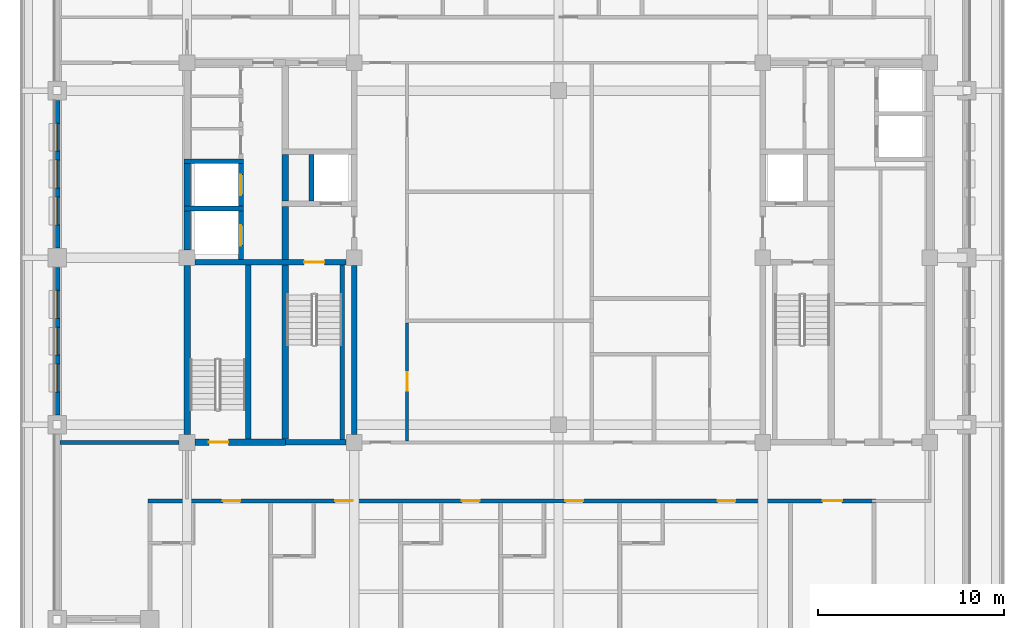
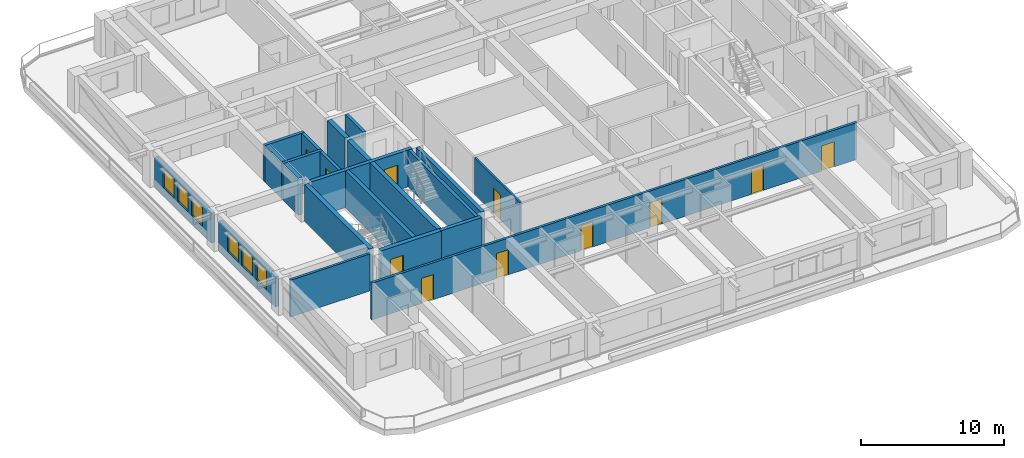
# One storey, part 3 of 15: 22 walls, 11 doors, 6 windows, 17 openings.
"""IFC4 building model written with IfcOpenShell, lengths in metres."""

from ifc_helpers import new_model, si_unit, direction, frame, frame_2d, origin, place, context, subcontext, project, spatial, rectangle, extrude, material, layer, layer_set, type_object, element, fill, save


model = new_model("IFC4")

# Units and contexts
model_context = context("Model", 3, precision=1e-05, world=origin(), true_north=direction((0.0, 1.0)))
body_context = subcontext(model_context, "Body", "Model", "MODEL_VIEW")
ifc_project = project(units=[si_unit("LENGTHUNIT", "METRE"), si_unit("AREAUNIT", "SQUARE_METRE"), si_unit("VOLUMEUNIT", "CUBIC_METRE"), si_unit("PLANEANGLEUNIT", "RADIAN"), si_unit("MASSUNIT", "GRAM", prefix="KILO")], contexts=[model_context])

# Site, building, storey
site_placement = place(None, origin())
site = spatial("IfcSite", under=ifc_project, at=site_placement, CompositionType="ELEMENT")
building_placement = place(site_placement, origin())
building = spatial("IfcBuilding", under=site, at=building_placement, Name="Zulmaris Gate Convention Tower", CompositionType="ELEMENT")
storey_placement = place(building_placement, frame((0.0, 0.0, 201.659912109375)))
storey = spatial("IfcBuildingStorey", under=building, at=storey_placement, Name="L52", CompositionType="ELEMENT", Elevation=201.659912109375)

# Walls
ifc_material_1 = material(Name="Concrete C50/60", Category="concrete")
ifc_layer_1 = layer(ifc_material_1, 0.25, Name="Concrete C50/60")
ifc_layer_set_1 = layer_set([ifc_layer_1], Name="Concrete C50/60")
wall_type_1 = type_object("IfcWallType", Name="CORE-250", PredefinedType="SOLIDWALL", material=ifc_layer_set_1)
for number, where, z_axis, x_axis, name in (
    (1, (-20.175048828125, 2.64990234375, 0.0), (0.0, 0.0, 1.0), (1.0, 0.0, 0.0), "WL-L52-007"),
    (2, (-20.175048828125, 5.199951171875, 0.0), (0.0, 0.0, 1.0), (1.0, 0.0, 0.0), "WL-L52-010"),
):
    element("IfcWall", number, at=place(storey_placement, frame(where, z_axis=z_axis, x_axis=x_axis)), inside=storey, type_object=wall_type_1, Name=name, PredefinedType="SOLIDWALL", context=body_context, shape_type="SweptSolid", body=[
        extrude(rectangle(XDim=3.199951171875, YDim=0.25, at=frame_2d((1.60009765625, 0.0))), origin(), (0.0, 0.0, 1.0), 3.150146484375),
    ])

# Wall, opening, door
wall_1_placement = place(storey_placement, frame((-17.10009765625, -0.097900390625, 0.0), z_axis=(0.0, 0.0, 1.0), x_axis=(0.0, 1.0, 0.0)))
wall_1 = element("IfcWall", 3, at=wall_1_placement, inside=storey, type_object=wall_type_1, Name="WL-L52-049", PredefinedType="SOLIDWALL", context=body_context, shape_type="SweptSolid", body=[
    extrude(rectangle(XDim=2.620849609375, YDim=0.25, at=frame_2d((1.310546875, 0.0))), origin(), (0.0, 0.0, 1.0), 3.150146484375),
])
opening_1_placement = place(wall_1_placement, frame((0.748046875, 0.0, 0.0)))
opening_1 = element("IfcOpeningElement", 4, at=opening_1_placement, cuts=wall_1, Name="Opening D-06", PredefinedType="OPENING", context=body_context, shape_type="SweptSolid", body=[
    extrude(rectangle(XDim=1.10009765625, YDim=2.199951171875, at=frame_2d((0.550048828125, 1.10009765625))), frame((0.0, 0.135009765625, 0.0), z_axis=(0.0, -1.0, 0.0), x_axis=(1.0, 0.0, 0.0)), (0.0, 0.0, 1.0), 0.27001953125),
])
ifc_material_2 = material(Name="Brushed Stainless Steel", Category="steel")
door_type_1 = type_object("IfcDoorType", Name="LD-1100", OperationType="NOTDEFINED", PredefinedType="DOOR", material=ifc_material_2)
door_1_placement = place(opening_1_placement, origin())
door_1 = element("IfcDoor", 5, at=door_1_placement, inside=storey, type_object=door_type_1, Name="L52 Lift Landing Door HP-03 11", OperationType="SLIDING_TO_LEFT", OverallHeight=2.199951171875, OverallWidth=1.10009765625, PredefinedType="DOOR", context=body_context, shape_type="SweptSolid", body=[
    extrude(rectangle(XDim=1.10009765625, YDim=2.199951171875, at=frame_2d((0.550048828125, 1.10009765625))), frame((0.0, 0.02490234375, 0.0), z_axis=(0.0, -1.0, 0.0), x_axis=(1.0, 0.0, 0.0)), (0.0, 0.0, 1.0), 0.050048828125),
])
fill(opening_1, door_1)

wall_2_placement = place(storey_placement, frame((-17.10009765625, 2.777099609375, 0.0), z_axis=(0.0, 0.0, 1.0), x_axis=(0.0, 1.0, 0.0)))
wall_2 = element("IfcWall", 6, at=wall_2_placement, inside=storey, type_object=wall_type_1, Name="WL-L52-050", PredefinedType="SOLIDWALL", context=body_context, shape_type="SweptSolid", body=[
    extrude(rectangle(XDim=2.2958984375, YDim=0.25, at=frame_2d((1.14794921875, 0.0))), origin(), (0.0, 0.0, 1.0), 3.150146484375),
])
opening_2_placement = place(wall_2_placement, frame((0.597900390625, 0.0, 0.0)))
opening_2 = element("IfcOpeningElement", 7, at=opening_2_placement, cuts=wall_2, Name="Opening D-06", PredefinedType="OPENING", context=body_context, shape_type="SweptSolid", body=[
    extrude(rectangle(XDim=1.10009765625, YDim=2.199951171875, at=frame_2d((0.550048828125, 1.10009765625))), frame((0.0, 0.135009765625, 0.0), z_axis=(0.0, -1.0, 0.0), x_axis=(1.0, 0.0, 0.0)), (0.0, 0.0, 1.0), 0.27001953125),
])
door_2_placement = place(opening_2_placement, origin())
door_2 = element("IfcDoor", 8, at=door_2_placement, inside=storey, type_object=door_type_1, Name="L52 Lift Landing Door HP-04 12", OperationType="SLIDING_TO_LEFT", OverallHeight=2.199951171875, OverallWidth=1.10009765625, PredefinedType="DOOR", context=body_context, shape_type="SweptSolid", body=[
    extrude(rectangle(XDim=1.10009765625, YDim=2.199951171875, at=frame_2d((0.550048828125, 1.10009765625))), frame((0.0, 0.02490234375, 0.0), z_axis=(0.0, -1.0, 0.0), x_axis=(1.0, 0.0, 0.0)), (0.0, 0.0, 1.0), 0.050048828125),
])
fill(opening_2, door_2)

# Walls
wall_3_placement = place(storey_placement, frame((-13.300048828125, 3.052001953125, 0.0), z_axis=(0.0, 0.0, 1.0), x_axis=(0.0, 1.0, 0.0)))
element("IfcWall", 9, at=wall_3_placement, inside=storey, type_object=wall_type_1, Name="WL-L52-056", PredefinedType="SOLIDWALL", context=body_context, shape_type="SweptSolid", body=[
    extrude(rectangle(XDim=2.49609375, YDim=0.25, at=frame_2d((1.248046875, 0.0))), origin(), (0.0, 0.0, 1.0), 3.150146484375),
])
wall_4_placement = place(storey_placement, frame((-11.64990234375, -9.798095703125, 0.0), z_axis=(0.0, 0.0, 1.0), x_axis=(0.0, 1.0, 0.0)))
element("IfcWall", 10, at=wall_4_placement, inside=storey, type_object=wall_type_1, Name="WL-L52-057", PredefinedType="SOLIDWALL", context=body_context, shape_type="SweptSolid", body=[
    extrude(rectangle(XDim=9.39599609375, YDim=0.25, at=frame_2d((4.697998046875, 0.0))), origin(), (0.0, 0.0, 1.0), 3.150146484375),
])
ifc_layer_2 = layer(ifc_material_1, 0.300048828125, Name="Concrete C50/60")
ifc_layer_set_2 = layer_set([ifc_layer_2], Name="Concrete C50/60")
wall_type_2 = type_object("IfcWallType", Name="CORE-300", PredefinedType="SHEAR", material=ifc_layer_set_2)
wall_5_placement = place(storey_placement, frame((-14.699951171875, -9.949951171875, 0.0), z_axis=(0.0, 0.0, 1.0), x_axis=(1.0, 0.0, 0.0)))
element("IfcWall", 11, at=wall_5_placement, inside=storey, type_object=wall_type_2, Name="WL-L52-002", PredefinedType="SHEAR", context=body_context, shape_type="SweptSolid", body=[
    extrude(rectangle(XDim=3.27099609375, YDim=0.300048828125, at=frame_2d((1.635498046875, 0.0))), origin(), (0.0, 0.0, 1.0), 3.150146484375),
])

# Wall, opening, door
wall_6_placement = place(storey_placement, frame((-19.571044921875, -0.25, 0.0), z_axis=(0.0, 0.0, 1.0), x_axis=(1.0, 0.0, 0.0)))
wall_6 = element("IfcWall", 12, at=wall_6_placement, inside=storey, type_object=wall_type_2, Name="WL-L52-005", PredefinedType="SHEAR", context=body_context, shape_type="SweptSolid", body=[
    extrude(rectangle(XDim=8.14208984375, YDim=0.300048828125, at=frame_2d((4.071044921875, 0.0))), origin(), (0.0, 0.0, 1.0), 3.150146484375),
])
opening_3_placement = place(wall_6_placement, frame((5.87109375, 0.0, 0.0)))
opening_3 = element("IfcOpeningElement", 13, at=opening_3_placement, cuts=wall_6, Name="Opening D-08", PredefinedType="OPENING", context=body_context, shape_type="SweptSolid", body=[
    extrude(rectangle(XDim=1.10009765625, YDim=2.14990234375, at=frame_2d((0.550048828125, 1.074951171875))), frame((0.0, 0.16015625, 0.0), z_axis=(0.0, -1.0, 0.0), x_axis=(1.0, 0.0, 0.0)), (0.0, 0.0, 1.0), 0.320068359375),
])
ifc_material_3 = material(Name="Fire-Rated Steel", Category="steel")
door_type_2 = type_object("IfcDoorType", Name="DR-1100-FD", OperationType="NOTDEFINED", PredefinedType="DOOR", material=ifc_material_3)
door_3_placement = place(opening_3_placement, origin())
door_3 = element("IfcDoor", 14, at=door_3_placement, inside=storey, type_object=door_type_2, Name="L52 Exit Stair ST-1 Door 01", OperationType="SINGLE_SWING_LEFT", OverallHeight=2.14990234375, OverallWidth=1.10009765625, PredefinedType="DOOR", context=body_context, shape_type="SweptSolid", body=[
    extrude(rectangle(XDim=1.10009765625, YDim=2.14990234375, at=frame_2d((0.550048828125, 1.074951171875))), frame((0.0, 0.02490234375, 0.0), z_axis=(0.0, -1.0, 0.0), x_axis=(1.0, 0.0, 0.0)), (0.0, 0.0, 1.0), 0.050048828125),
])
fill(opening_3, door_3)

# Walls
wall_7_placement = place(storey_placement, frame((-16.699951171875, -9.77294921875, 0.0), z_axis=(0.0, 0.0, 1.0), x_axis=(0.0, 1.0, 0.0)))
element("IfcWall", 15, at=wall_7_placement, inside=storey, type_object=wall_type_2, Name="WL-L52-051", PredefinedType="SHEAR", context=body_context, shape_type="SweptSolid", body=[
    extrude(rectangle(XDim=9.370849609375, YDim=0.300048828125, at=frame_2d((4.685546875, 0.0))), origin(), (0.0, 0.0, 1.0), 3.150146484375),
])
wall_8_placement = place(storey_placement, frame((-11.0, -9.52099609375, 0.0), z_axis=(0.0, 0.0, 1.0), x_axis=(0.0, 1.0, 0.0)))
element("IfcWall", 16, at=wall_8_placement, inside=storey, type_object=wall_type_2, Name="WL-L52-058", PredefinedType="SHEAR", context=body_context, shape_type="SweptSolid", body=[
    extrude(rectangle(XDim=9.092041015625, YDim=0.300048828125, at=frame_2d((4.5458984375, 0.0))), origin(), (0.0, 0.0, 1.0), 3.150146484375),
])

# Wall, opening, door
ifc_material_4 = material(Name="Concrete C55/67", Category="concrete")
ifc_layer_3 = layer(ifc_material_4, 0.35009765625, Name="Concrete C55/67")
ifc_layer_set_3 = layer_set([ifc_layer_3], Name="Concrete C55/67")
wall_type_3 = type_object("IfcWallType", Name="CORE-350", PredefinedType="SHEAR", material=ifc_layer_set_3)
wall_9_placement = place(storey_placement, frame((-19.571044921875, -9.949951171875, 0.0), z_axis=(0.0, 0.0, 1.0), x_axis=(1.0, 0.0, 0.0)))
wall_9 = element("IfcWall", 17, at=wall_9_placement, inside=storey, type_object=wall_type_3, Name="WL-L52-001", PredefinedType="SHEAR", context=body_context, shape_type="SweptSolid", body=[
    extrude(rectangle(XDim=4.87109375, YDim=0.35009765625, at=frame_2d((2.435546875, 0.0))), origin(), (0.0, 0.0, 1.0), 3.150146484375),
])
opening_4_placement = place(wall_9_placement, frame((0.74609375, 0.0, 0.0)))
opening_4 = element("IfcOpeningElement", 18, at=opening_4_placement, cuts=wall_9, Name="Opening D-09", PredefinedType="OPENING", context=body_context, shape_type="SweptSolid", body=[
    extrude(rectangle(XDim=1.050048828125, YDim=2.14990234375, at=frame_2d((0.52490234375, 1.074951171875))), frame((0.0, 0.18505859375, 0.0), z_axis=(0.0, -1.0, 0.0), x_axis=(1.0, 0.0, 0.0)), (0.0, 0.0, 1.0), 0.3701171875),
])
door_type_3 = type_object("IfcDoorType", Name="DR-1050-FD", OperationType="NOTDEFINED", PredefinedType="DOOR", material=ifc_material_3)
door_4_placement = place(opening_4_placement, origin())
door_4 = element("IfcDoor", 19, at=door_4_placement, inside=storey, type_object=door_type_3, Name="L52 Exit Stair ST-3 Door 10", OperationType="SINGLE_SWING_RIGHT", OverallHeight=2.14990234375, OverallWidth=1.050048828125, PredefinedType="DOOR", context=body_context, shape_type="SweptSolid", body=[
    extrude(rectangle(XDim=1.050048828125, YDim=2.14990234375, at=frame_2d((0.52490234375, 1.074951171875))), frame((0.0, 0.02490234375, 0.0), z_axis=(0.0, -1.0, 0.0), x_axis=(1.0, 0.0, 0.0)), (0.0, 0.0, 1.0), 0.050048828125),
])
fill(opening_4, door_4)

# Walls
wall_10_placement = place(storey_placement, frame((-20.0, -9.52099609375, 0.0), z_axis=(0.0, 0.0, 1.0), x_axis=(0.0, 1.0, 0.0)))
element("IfcWall", 20, at=wall_10_placement, inside=storey, type_object=wall_type_3, Name="WL-L52-045", PredefinedType="SHEAR", context=body_context, shape_type="SweptSolid", body=[
    extrude(rectangle(XDim=9.092041015625, YDim=0.35009765625, at=frame_2d((4.5458984375, 0.0))), origin(), (0.0, 0.0, 1.0), 3.150146484375),
])
wall_11_placement = place(storey_placement, frame((-20.0, 0.428955078125, 0.0), z_axis=(0.0, 0.0, 1.0), x_axis=(0.0, 1.0, 0.0)))
element("IfcWall", 21, at=wall_11_placement, inside=storey, type_object=wall_type_3, Name="WL-L52-046", PredefinedType="SHEAR", context=body_context, shape_type="SweptSolid", body=[
    extrude(rectangle(XDim=2.093994140625, YDim=0.35009765625, at=frame_2d((1.046875, 0.0))), origin(), (0.0, 0.0, 1.0), 3.150146484375),
])
wall_12_placement = place(storey_placement, frame((-20.0, 2.777099609375, 0.0), z_axis=(0.0, 0.0, 1.0), x_axis=(0.0, 1.0, 0.0)))
element("IfcWall", 22, at=wall_12_placement, inside=storey, type_object=wall_type_3, Name="WL-L52-047", PredefinedType="SHEAR", context=body_context, shape_type="SweptSolid", body=[
    extrude(rectangle(XDim=2.2958984375, YDim=0.35009765625, at=frame_2d((1.14794921875, 0.0))), origin(), (0.0, 0.0, 1.0), 3.150146484375),
])
wall_13_placement = place(storey_placement, frame((-14.699951171875, -9.77294921875, 0.0), z_axis=(0.0, 0.0, 1.0), x_axis=(0.0, 1.0, 0.0)))
element("IfcWall", 23, at=wall_13_placement, inside=storey, type_object=wall_type_3, Name="WL-L52-052", PredefinedType="SHEAR", context=body_context, shape_type="SweptSolid", body=[
    extrude(rectangle(XDim=9.370849609375, YDim=0.35009765625, at=frame_2d((4.685546875, 0.0))), origin(), (0.0, 0.0, 1.0), 3.150146484375),
])
wall_14_placement = place(storey_placement, frame((-14.699951171875, -0.097900390625, 0.0), z_axis=(0.0, 0.0, 1.0), x_axis=(0.0, 1.0, 0.0)))
element("IfcWall", 24, at=wall_14_placement, inside=storey, type_object=wall_type_3, Name="WL-L52-053", PredefinedType="SHEAR", context=body_context, shape_type="SweptSolid", body=[
    extrude(rectangle(XDim=2.845947265625, YDim=0.35009765625, at=frame_2d((1.4228515625, 0.0))), origin(), (0.0, 0.0, 1.0), 3.150146484375),
])
wall_15_placement = place(storey_placement, frame((-14.699951171875, 3.052001953125, 0.0), z_axis=(0.0, 0.0, 1.0), x_axis=(0.0, 1.0, 0.0)))
element("IfcWall", 25, at=wall_15_placement, inside=storey, type_object=wall_type_3, Name="WL-L52-054", PredefinedType="SHEAR", context=body_context, shape_type="SweptSolid", body=[
    extrude(rectangle(XDim=2.49609375, YDim=0.35009765625, at=frame_2d((1.248046875, 0.0))), origin(), (0.0, 0.0, 1.0), 3.150146484375),
])

# Wall, opening, door
ifc_material_5 = material(Name="Gypsum Metal Stud Partition")
ifc_layer_4 = layer(ifc_material_5, 0.14990234375, Name="Gypsum Metal Stud Partition")
ifc_layer_set_4 = layer_set([ifc_layer_4], Name="Gypsum Metal Stud Partition")
wall_type_4 = type_object("IfcWallType", Name="PART-150", PredefinedType="PARTITIONING", material=ifc_layer_set_4)
wall_16_placement = place(storey_placement, frame((-8.14990234375, -9.8720703125, 0.0), z_axis=(0.0, 0.0, 1.0), x_axis=(0.0, 1.0, 0.0)))
wall_16 = element("IfcWall", 26, at=wall_16_placement, inside=storey, type_object=wall_type_4, Name="WL-L52-094", PredefinedType="PARTITIONING", context=body_context, shape_type="SweptSolid", body=[
    extrude(rectangle(XDim=6.369140625, YDim=0.14990234375, at=frame_2d((3.1845703125, 0.0))), origin(), (0.0, 0.0, 1.0), 3.150146484375),
])
opening_5_placement = place(wall_16_placement, frame((2.701904296875, 0.0, 0.0)))
opening_5 = element("IfcOpeningElement", 27, at=opening_5_placement, cuts=wall_16, Name="Opening D-10", PredefinedType="OPENING", context=body_context, shape_type="SweptSolid", body=[
    extrude(rectangle(XDim=1.0, YDim=2.14990234375, at=frame_2d((0.5, 1.074951171875))), frame((0.0, 0.0849609375, 0.0), z_axis=(0.0, -1.0, 0.0), x_axis=(1.0, 0.0, 0.0)), (0.0, 0.0, 1.0), 0.169921875),
])
ifc_material_6 = material(Name="Fire-Rated Timber", Category="wood")
door_type_4 = type_object("IfcDoorType", Name="DR-1000-FD", OperationType="NOTDEFINED", PredefinedType="DOOR", material=ifc_material_6)
door_5_placement = place(opening_5_placement, origin())
door_5 = element("IfcDoor", 28, at=door_5_placement, inside=storey, type_object=door_type_4, Name="L52 Guest Study Door 49", OperationType="SINGLE_SWING_LEFT", OverallHeight=2.14990234375, OverallWidth=1.0, PredefinedType="DOOR", context=body_context, shape_type="SweptSolid", body=[
    extrude(rectangle(XDim=1.0, YDim=2.14990234375, at=frame_2d((0.5, 1.074951171875))), frame((0.0, 0.02490234375, 0.0), z_axis=(0.0, -1.0, 0.0), x_axis=(1.0, 0.0, 0.0)), (0.0, 0.0, 1.0), 0.050048828125),
])
fill(opening_5, door_5)

# Wall, openings, doors
ifc_material_7 = material(Name="Autoclaved Aerated Concrete Block and Plasterboard", Category="concrete")
ifc_layer_5 = layer(ifc_material_7, 0.199951171875, Name="Autoclaved Aerated Concrete Block and Plasterboard")
ifc_layer_set_5 = layer_set([ifc_layer_5], Name="Autoclaved Aerated Concrete Block and Plasterboard")
wall_type_5 = type_object("IfcWallType", Name="PART-200", PredefinedType="PARTITIONING", material=ifc_layer_set_5)
wall_17_placement = place(storey_placement, frame((-22.10009765625, -13.10009765625, 0.0), z_axis=(0.0, 0.0, 1.0), x_axis=(1.0, 0.0, 0.0)))
wall_17 = element("IfcWall", 29, at=wall_17_placement, inside=storey, type_object=wall_type_5, Name="WL-L52-024", PredefinedType="PARTITIONING", context=body_context, shape_type="SweptSolid", body=[
    extrude(rectangle(XDim=39.2001953125, YDim=0.199951171875, at=frame_2d((19.60009765625, 0.0))), origin(), (0.0, 0.0, 1.0), 3.150146484375),
])
opening_6_placement = place(wall_17_placement, frame((4.02490234375, 0.0, 0.0)))
opening_6 = element("IfcOpeningElement", 30, at=opening_6_placement, cuts=wall_17, Name="Opening D-11", PredefinedType="OPENING", context=body_context, shape_type="SweptSolid", body=[
    extrude(rectangle(XDim=0.949951171875, YDim=2.14990234375, at=frame_2d((0.47509765625, 1.074951171875))), frame((0.0, 0.10986328125, 0.0), z_axis=(0.0, -1.0, 0.0), x_axis=(1.0, 0.0, 0.0)), (0.0, 0.0, 1.0), 0.219970703125),
])
opening_7_placement = place(wall_17_placement, frame((10.074951171875, 0.0, 0.0)))
opening_7 = element("IfcOpeningElement", 31, at=opening_7_placement, cuts=wall_17, Name="Opening D-11", PredefinedType="OPENING", context=body_context, shape_type="SweptSolid", body=[
    extrude(rectangle(XDim=0.949951171875, YDim=2.14990234375, at=frame_2d((0.47509765625, 1.074951171875))), frame((0.0, 0.10986328125, 0.0), z_axis=(0.0, -1.0, 0.0), x_axis=(1.0, 0.0, 0.0)), (0.0, 0.0, 1.0), 0.219970703125),
])
opening_8_placement = place(wall_17_placement, frame((16.905029296875, 0.0, 0.0)))
opening_8 = element("IfcOpeningElement", 32, at=opening_8_placement, cuts=wall_17, Name="Opening D-11", PredefinedType="OPENING", context=body_context, shape_type="SweptSolid", body=[
    extrude(rectangle(XDim=0.949951171875, YDim=2.14990234375, at=frame_2d((0.47509765625, 1.074951171875))), frame((0.0, 0.10986328125, 0.0), z_axis=(0.0, -1.0, 0.0), x_axis=(1.0, 0.0, 0.0)), (0.0, 0.0, 1.0), 0.219970703125),
])
opening_9_placement = place(wall_17_placement, frame((22.47509765625, 0.0, 0.0)))
opening_9 = element("IfcOpeningElement", 33, at=opening_9_placement, cuts=wall_17, Name="Opening D-11", PredefinedType="OPENING", context=body_context, shape_type="SweptSolid", body=[
    extrude(rectangle(XDim=0.949951171875, YDim=2.14990234375, at=frame_2d((0.47509765625, 1.074951171875))), frame((0.0, 0.10986328125, 0.0), z_axis=(0.0, -1.0, 0.0), x_axis=(1.0, 0.0, 0.0)), (0.0, 0.0, 1.0), 0.219970703125),
])
opening_10_placement = place(wall_17_placement, frame((30.675048828125, 0.0, 0.0)))
opening_10 = element("IfcOpeningElement", 34, at=opening_10_placement, cuts=wall_17, Name="Opening D-11", PredefinedType="OPENING", context=body_context, shape_type="SweptSolid", body=[
    extrude(rectangle(XDim=0.949951171875, YDim=2.14990234375, at=frame_2d((0.47509765625, 1.074951171875))), frame((0.0, 0.10986328125, 0.0), z_axis=(0.0, -1.0, 0.0), x_axis=(1.0, 0.0, 0.0)), (0.0, 0.0, 1.0), 0.219970703125),
])
opening_11_placement = place(wall_17_placement, frame((36.324951171875, 0.0, 0.0)))
opening_11 = element("IfcOpeningElement", 35, at=opening_11_placement, cuts=wall_17, Name="Opening D-09", PredefinedType="OPENING", context=body_context, shape_type="SweptSolid", body=[
    extrude(rectangle(XDim=1.050048828125, YDim=2.14990234375, at=frame_2d((0.52490234375, 1.074951171875))), frame((0.0, 0.10986328125, 0.0), z_axis=(0.0, -1.0, 0.0), x_axis=(1.0, 0.0, 0.0)), (0.0, 0.0, 1.0), 0.219970703125),
])
door_6_placement = place(opening_11_placement, origin())
door_6 = element("IfcDoor", 36, at=door_6_placement, inside=storey, type_object=door_type_3, Name="L52 Briefing Room Door 46", OperationType="SINGLE_SWING_RIGHT", OverallHeight=2.14990234375, OverallWidth=1.050048828125, PredefinedType="DOOR", context=body_context, shape_type="SweptSolid", body=[
    extrude(rectangle(XDim=1.050048828125, YDim=2.14990234375, at=frame_2d((0.52490234375, 1.074951171875))), frame((0.0, 0.02490234375, 0.0), z_axis=(0.0, -1.0, 0.0), x_axis=(1.0, 0.0, 0.0)), (0.0, 0.0, 1.0), 0.050048828125),
])
fill(opening_11, door_6)
door_type_5 = type_object("IfcDoorType", Name="DR-950-FD", OperationType="NOTDEFINED", PredefinedType="DOOR", material=ifc_material_6)
door_7_placement = place(opening_6_placement, origin())
door_7 = element("IfcDoor", 37, at=door_7_placement, inside=storey, type_object=door_type_5, Name="L52 Hotel Executive Suite Door 36", OperationType="SINGLE_SWING_RIGHT", OverallHeight=2.14990234375, OverallWidth=0.949951171875, PredefinedType="DOOR", context=body_context, shape_type="SweptSolid", body=[
    extrude(rectangle(XDim=0.949951171875, YDim=2.14990234375, at=frame_2d((0.47509765625, 1.074951171875))), frame((0.0, 0.02490234375, 0.0), z_axis=(0.0, -1.0, 0.0), x_axis=(1.0, 0.0, 0.0)), (0.0, 0.0, 1.0), 0.050048828125),
])
fill(opening_6, door_7)
door_8_placement = place(opening_7_placement, origin())
door_8 = element("IfcDoor", 38, at=door_8_placement, inside=storey, type_object=door_type_5, Name="L52 Hotel Executive Suite Door 38", OperationType="SINGLE_SWING_RIGHT", OverallHeight=2.14990234375, OverallWidth=0.949951171875, PredefinedType="DOOR", context=body_context, shape_type="SweptSolid", body=[
    extrude(rectangle(XDim=0.949951171875, YDim=2.14990234375, at=frame_2d((0.47509765625, 1.074951171875))), frame((0.0, 0.02490234375, 0.0), z_axis=(0.0, -1.0, 0.0), x_axis=(1.0, 0.0, 0.0)), (0.0, 0.0, 1.0), 0.050048828125),
])
fill(opening_7, door_8)
door_9_placement = place(opening_8_placement, origin())
door_9 = element("IfcDoor", 39, at=door_9_placement, inside=storey, type_object=door_type_5, Name="L52 Hotel Executive Suite Door 40", OperationType="SINGLE_SWING_RIGHT", OverallHeight=2.14990234375, OverallWidth=0.949951171875, PredefinedType="DOOR", context=body_context, shape_type="SweptSolid", body=[
    extrude(rectangle(XDim=0.949951171875, YDim=2.14990234375, at=frame_2d((0.47509765625, 1.074951171875))), frame((0.0, 0.02490234375, 0.0), z_axis=(0.0, -1.0, 0.0), x_axis=(1.0, 0.0, 0.0)), (0.0, 0.0, 1.0), 0.050048828125),
])
fill(opening_8, door_9)
door_10_placement = place(opening_9_placement, origin())
door_10 = element("IfcDoor", 40, at=door_10_placement, inside=storey, type_object=door_type_5, Name="L52 Hotel Executive Suite Door 42", OperationType="SINGLE_SWING_RIGHT", OverallHeight=2.14990234375, OverallWidth=0.949951171875, PredefinedType="DOOR", context=body_context, shape_type="SweptSolid", body=[
    extrude(rectangle(XDim=0.949951171875, YDim=2.14990234375, at=frame_2d((0.47509765625, 1.074951171875))), frame((0.0, 0.02490234375, 0.0), z_axis=(0.0, -1.0, 0.0), x_axis=(1.0, 0.0, 0.0)), (0.0, 0.0, 1.0), 0.050048828125),
])
fill(opening_9, door_10)
door_11_placement = place(opening_10_placement, origin())
door_11 = element("IfcDoor", 41, at=door_11_placement, inside=storey, type_object=door_type_5, Name="L52 Hotel Executive Suite Door 44", OperationType="SINGLE_SWING_RIGHT", OverallHeight=2.14990234375, OverallWidth=0.949951171875, PredefinedType="DOOR", context=body_context, shape_type="SweptSolid", body=[
    extrude(rectangle(XDim=0.949951171875, YDim=2.14990234375, at=frame_2d((0.47509765625, 1.074951171875))), frame((0.0, 0.02490234375, 0.0), z_axis=(0.0, -1.0, 0.0), x_axis=(1.0, 0.0, 0.0)), (0.0, 0.0, 1.0), 0.050048828125),
])
fill(opening_10, door_11)

# Wall
wall_18_placement = place(storey_placement, frame((-26.8349609375, -9.949951171875, 0.0), z_axis=(0.0, 0.0, 1.0), x_axis=(1.0, 0.0, 0.0)))
element("IfcWall", 42, at=wall_18_placement, inside=storey, type_object=wall_type_5, Name="WL-L52-026", PredefinedType="PARTITIONING", context=body_context, shape_type="SweptSolid", body=[
    extrude(rectangle(XDim=6.404052734375, YDim=0.199951171875, at=frame_2d((3.2021484375, 0.0))), origin(), (0.0, 0.0, 1.0), 3.150146484375),
])

# Wall, openings, windows
ifc_material_8 = material(Name="Precast concrete C40/50", Category="concrete")
ifc_layer_6 = layer(ifc_material_8, 0.300048828125, Name="Precast concrete C40/50")
ifc_layer_set_6 = layer_set([ifc_layer_6], Name="Precast concrete C40/50")
wall_type_6 = type_object("IfcWallType", Name="PRECAST-PIER-300", PredefinedType="STANDARD", material=ifc_layer_set_6)
wall_19_placement = place(storey_placement, frame((-27.0, -0.530029296875, 0.0), z_axis=(0.0, 0.0, 1.0), x_axis=(0.0, -1.0, 0.0)))
wall_19 = element("IfcWall", 43, at=wall_19_placement, inside=storey, type_object=wall_type_6, Name="EW-L52-W-1_0", PredefinedType="STANDARD", context=body_context, shape_type="SweptSolid", body=[
    extrude(rectangle(XDim=7.93994140625, YDim=0.300048828125, at=frame_2d((3.969970703125, 0.0))), origin(), (0.0, 0.0, 1.0), 2.542236328125),
])
opening_12_placement = place(wall_19_placement, frame((1.235107421875, 0.0, 0.719970703125)))
opening_12 = element("IfcOpeningElement", 44, at=opening_12_placement, cuts=wall_19, Name="Opening W-03", PredefinedType="OPENING", context=body_context, shape_type="SweptSolid", body=[
    extrude(rectangle(XDim=1.5, YDim=1.60009765625, at=frame_2d((0.75, 0.800048828125))), frame((0.0, 0.16015625, 0.0), z_axis=(0.0, -1.0, 0.0), x_axis=(1.0, 0.0, 0.0)), (0.0, 0.0, 1.0), 0.320068359375),
])
opening_13_placement = place(wall_19_placement, frame((3.219970703125, 0.0, 0.719970703125)))
opening_13 = element("IfcOpeningElement", 45, at=opening_13_placement, cuts=wall_19, Name="Opening W-03", PredefinedType="OPENING", context=body_context, shape_type="SweptSolid", body=[
    extrude(rectangle(XDim=1.5, YDim=1.60009765625, at=frame_2d((0.75, 0.800048828125))), frame((0.0, 0.16015625, 0.0), z_axis=(0.0, -1.0, 0.0), x_axis=(1.0, 0.0, 0.0)), (0.0, 0.0, 1.0), 0.320068359375),
])
opening_14_placement = place(wall_19_placement, frame((5.205078125, 0.0, 0.719970703125)))
opening_14 = element("IfcOpeningElement", 46, at=opening_14_placement, cuts=wall_19, Name="Opening W-03", PredefinedType="OPENING", context=body_context, shape_type="SweptSolid", body=[
    extrude(rectangle(XDim=1.5, YDim=1.60009765625, at=frame_2d((0.75, 0.800048828125))), frame((0.0, 0.16015625, 0.0), z_axis=(0.0, -1.0, 0.0), x_axis=(1.0, 0.0, 0.0)), (0.0, 0.0, 1.0), 0.320068359375),
])
ifc_material_9 = material(Name="Low-E Laminated Double Glazing in Aluminium Frame", Category="aluminium")
window_type = type_object("IfcWindowType", Name="WIN-1500x2100", PartitioningType="SINGLE_PANEL", PredefinedType="WINDOW", material=ifc_material_9)
window_1_placement = place(opening_12_placement, origin())
window_1 = element("IfcWindow", 47, at=window_1_placement, inside=storey, type_object=window_type, Name="WN-EW-L52-W-1_0-1", OverallHeight=1.60009765625, OverallWidth=1.5, PartitioningType="SINGLE_PANEL", PredefinedType="WINDOW", context=body_context, shape_type="SweptSolid", body=[
    extrude(rectangle(XDim=1.5, YDim=1.60009765625, at=frame_2d((0.75, 0.800048828125))), frame((0.0, 0.030029296875, 0.0), z_axis=(0.0, -1.0, 0.0), x_axis=(1.0, 0.0, 0.0)), (0.0, 0.0, 1.0), 0.06005859375),
])
fill(opening_12, window_1)
window_2_placement = place(opening_13_placement, origin())
window_2 = element("IfcWindow", 48, at=window_2_placement, inside=storey, type_object=window_type, Name="WN-EW-L52-W-1_0-2", OverallHeight=1.60009765625, OverallWidth=1.5, PartitioningType="SINGLE_PANEL", PredefinedType="WINDOW", context=body_context, shape_type="SweptSolid", body=[
    extrude(rectangle(XDim=1.5, YDim=1.60009765625, at=frame_2d((0.75, 0.800048828125))), frame((0.0, 0.030029296875, 0.0), z_axis=(0.0, -1.0, 0.0), x_axis=(1.0, 0.0, 0.0)), (0.0, 0.0, 1.0), 0.06005859375),
])
fill(opening_13, window_2)
window_3_placement = place(opening_14_placement, origin())
window_3 = element("IfcWindow", 49, at=window_3_placement, inside=storey, type_object=window_type, Name="WN-EW-L52-W-1_0-3", OverallHeight=1.60009765625, OverallWidth=1.5, PartitioningType="SINGLE_PANEL", PredefinedType="WINDOW", context=body_context, shape_type="SweptSolid", body=[
    extrude(rectangle(XDim=1.5, YDim=1.60009765625, at=frame_2d((0.75, 0.800048828125))), frame((0.0, 0.030029296875, 0.0), z_axis=(0.0, -1.0, 0.0), x_axis=(1.0, 0.0, 0.0)), (0.0, 0.0, 1.0), 0.06005859375),
])
fill(opening_14, window_3)

wall_20_placement = place(storey_placement, frame((-27.0, 8.469970703125, 0.0), z_axis=(0.0, 0.0, 1.0), x_axis=(0.0, -1.0, 0.0)))
wall_20 = element("IfcWall", 50, at=wall_20_placement, inside=storey, type_object=wall_type_6, Name="EW-L52-W-2_0", PredefinedType="STANDARD", context=body_context, shape_type="SweptSolid", body=[
    extrude(rectangle(XDim=7.93994140625, YDim=0.300048828125, at=frame_2d((3.969970703125, 0.0))), origin(), (0.0, 0.0, 1.0), 2.542236328125),
])
opening_15_placement = place(wall_20_placement, frame((1.235107421875, 0.0, 0.719970703125)))
opening_15 = element("IfcOpeningElement", 51, at=opening_15_placement, cuts=wall_20, Name="Opening W-03", PredefinedType="OPENING", context=body_context, shape_type="SweptSolid", body=[
    extrude(rectangle(XDim=1.5, YDim=1.60009765625, at=frame_2d((0.75, 0.800048828125))), frame((0.0, 0.16015625, 0.0), z_axis=(0.0, -1.0, 0.0), x_axis=(1.0, 0.0, 0.0)), (0.0, 0.0, 1.0), 0.320068359375),
])
opening_16_placement = place(wall_20_placement, frame((3.219970703125, 0.0, 0.719970703125)))
opening_16 = element("IfcOpeningElement", 52, at=opening_16_placement, cuts=wall_20, Name="Opening W-03", PredefinedType="OPENING", context=body_context, shape_type="SweptSolid", body=[
    extrude(rectangle(XDim=1.5, YDim=1.60009765625, at=frame_2d((0.75, 0.800048828125))), frame((0.0, 0.16015625, 0.0), z_axis=(0.0, -1.0, 0.0), x_axis=(1.0, 0.0, 0.0)), (0.0, 0.0, 1.0), 0.320068359375),
])
opening_17_placement = place(wall_20_placement, frame((5.205078125, 0.0, 0.719970703125)))
opening_17 = element("IfcOpeningElement", 53, at=opening_17_placement, cuts=wall_20, Name="Opening W-03", PredefinedType="OPENING", context=body_context, shape_type="SweptSolid", body=[
    extrude(rectangle(XDim=1.5, YDim=1.60009765625, at=frame_2d((0.75, 0.800048828125))), frame((0.0, 0.16015625, 0.0), z_axis=(0.0, -1.0, 0.0), x_axis=(1.0, 0.0, 0.0)), (0.0, 0.0, 1.0), 0.320068359375),
])
window_4_placement = place(opening_15_placement, origin())
window_4 = element("IfcWindow", 54, at=window_4_placement, inside=storey, type_object=window_type, Name="WN-EW-L52-W-2_0-1", OverallHeight=1.60009765625, OverallWidth=1.5, PartitioningType="SINGLE_PANEL", PredefinedType="WINDOW", context=body_context, shape_type="SweptSolid", body=[
    extrude(rectangle(XDim=1.5, YDim=1.60009765625, at=frame_2d((0.75, 0.800048828125))), frame((0.0, 0.030029296875, 0.0), z_axis=(0.0, -1.0, 0.0), x_axis=(1.0, 0.0, 0.0)), (0.0, 0.0, 1.0), 0.06005859375),
])
fill(opening_15, window_4)
window_5_placement = place(opening_16_placement, origin())
window_5 = element("IfcWindow", 55, at=window_5_placement, inside=storey, type_object=window_type, Name="WN-EW-L52-W-2_0-2", OverallHeight=1.60009765625, OverallWidth=1.5, PartitioningType="SINGLE_PANEL", PredefinedType="WINDOW", context=body_context, shape_type="SweptSolid", body=[
    extrude(rectangle(XDim=1.5, YDim=1.60009765625, at=frame_2d((0.75, 0.800048828125))), frame((0.0, 0.030029296875, 0.0), z_axis=(0.0, -1.0, 0.0), x_axis=(1.0, 0.0, 0.0)), (0.0, 0.0, 1.0), 0.06005859375),
])
fill(opening_16, window_5)
window_6_placement = place(opening_17_placement, origin())
window_6 = element("IfcWindow", 56, at=window_6_placement, inside=storey, type_object=window_type, Name="WN-EW-L52-W-2_0-3", OverallHeight=1.60009765625, OverallWidth=1.5, PartitioningType="SINGLE_PANEL", PredefinedType="WINDOW", context=body_context, shape_type="SweptSolid", body=[
    extrude(rectangle(XDim=1.5, YDim=1.60009765625, at=frame_2d((0.75, 0.800048828125))), frame((0.0, 0.030029296875, 0.0), z_axis=(0.0, -1.0, 0.0), x_axis=(1.0, 0.0, 0.0)), (0.0, 0.0, 1.0), 0.06005859375),
])
fill(opening_17, window_6)

save(model, "model.ifc")
